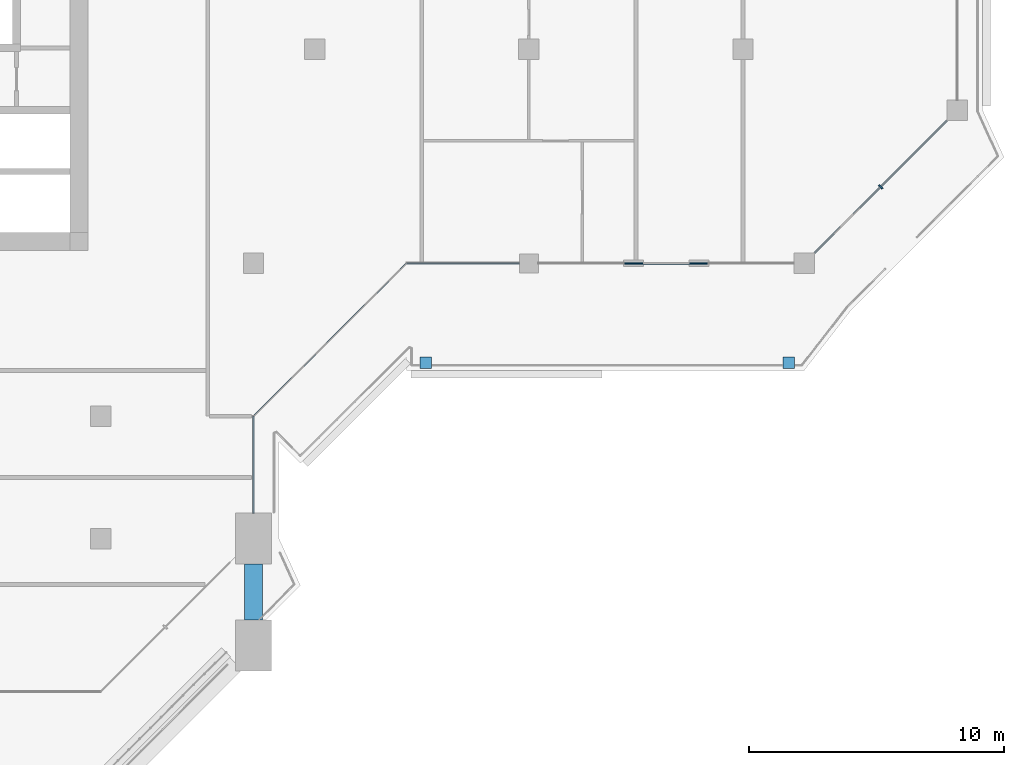
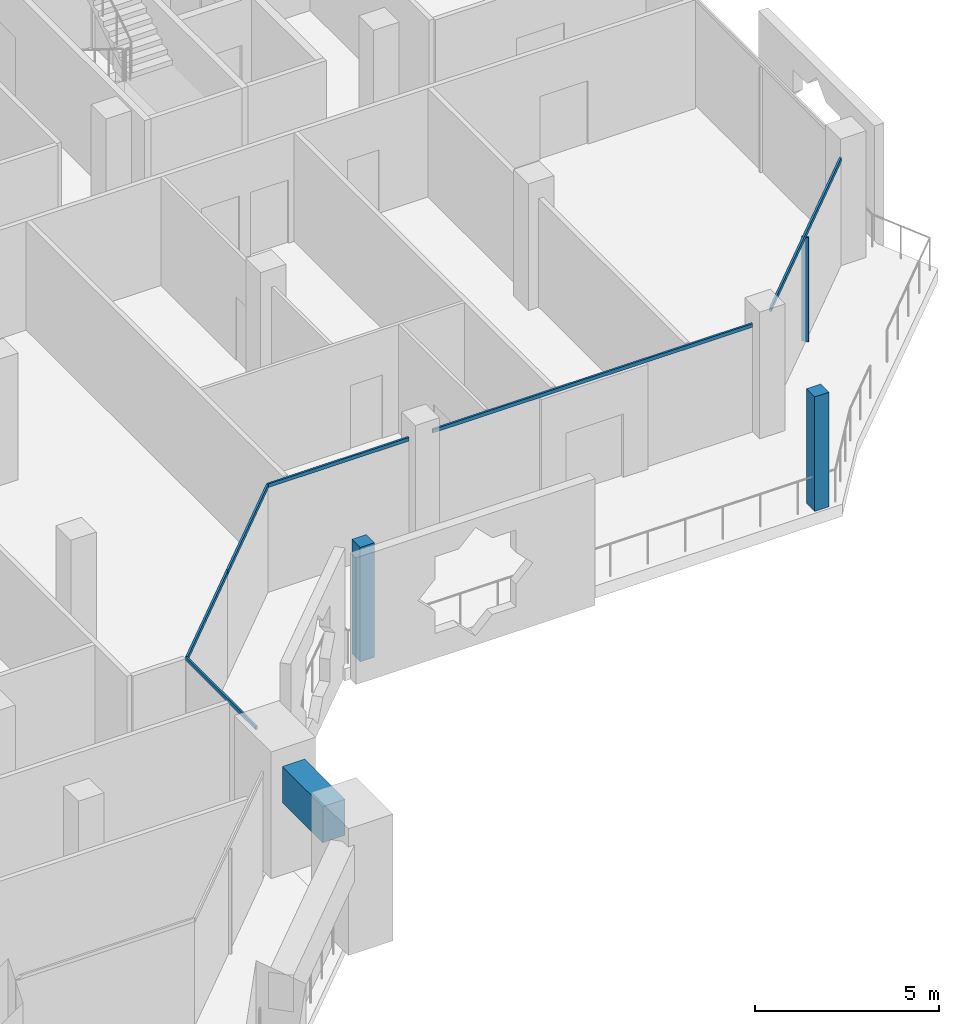
# One storey, part 4 of 20: 9 members, 1 beam, 5 elements without a shape of their own.
"""IFC4 building model written with IfcOpenShell, lengths in metres."""

from ifc_helpers import new_model, si_unit, direction, frame, origin, origin_2d, place, context, subcontext, project, spatial, rectangle, extrude, material, layer, layer_set, material_profile, profile_set, type_object, element, aggregate, save


model = new_model("IFC4")

# Units and contexts
model_context = context("Model", 3, precision=1e-05, world=origin(), true_north=direction((0.0, 1.0)))
body_context = subcontext(model_context, "Body", "Model", "MODEL_VIEW")
ifc_project = project(units=[si_unit("LENGTHUNIT", "METRE"), si_unit("AREAUNIT", "SQUARE_METRE"), si_unit("VOLUMEUNIT", "CUBIC_METRE"), si_unit("PLANEANGLEUNIT", "RADIAN"), si_unit("MASSUNIT", "GRAM", prefix="KILO")], contexts=[model_context])

# Site, building, storey
site_placement = place(None, origin())
site = spatial("IfcSite", under=ifc_project, at=site_placement, CompositionType="ELEMENT")
building_placement = place(site_placement, origin())
building = spatial("IfcBuilding", under=site, at=building_placement, Name="Kawkab Arch Medical Tower", CompositionType="ELEMENT")
storey_placement = place(building_placement, frame((0.0, 0.0, 290.199951171875)))
storey = spatial("IfcBuildingStorey", under=building, at=storey_placement, Name="L67", CompositionType="ELEMENT", Elevation=290.199951171875)

# Curtain wall, member
ifc_material_1 = material(Name="Bronze anodised aluminium curtain wall frame", Category="aluminium")
ifc_layer_1 = layer(ifc_material_1, 0.159912109375)
ifc_layer_set_1 = layer_set([ifc_layer_1], Name="Bronze anodised aluminium curtain wall frame")
curtain_wall_type_1 = type_object("IfcCurtainWallType", Name="CW1 ward curtain wall", PredefinedType="NOTDEFINED", material=ifc_layer_set_1)
placement = place(storey_placement, origin())
curtain_wall_1 = element("IfcCurtainWall", 1, at=placement, inside=storey, type_object=curtain_wall_type_1, Name="CW1 Ward curtain wall R09", PredefinedType="NOTDEFINED")
ifc_material_2 = material(Name="Bronze anodised aluminium curtain wall frame", Category="aluminium")
ifc_material_profile_1 = material_profile(ifc_material_2, rectangle(XDim=0.06005859375, YDim=0.1201171875, at=origin_2d()), Name="AL 60x120")
ifc_profile_set_1 = profile_set([ifc_material_profile_1], Name="Bronze anodised aluminium curtain wall frame")
member_type_1 = type_object("IfcMemberType", Name="CW1 transom 120 x 60", PredefinedType="USERDEFINED", material=ifc_profile_set_1)
member_1_placement = place(storey_placement, frame((31.199951171875, -35.0, 3.5400390625), z_axis=(0.0, 1.0, 0.0), x_axis=(-1.0, 0.0, 0.0)))
member_1 = element("IfcMember", 2, at=member_1_placement, type_object=member_type_1, Name="CW1 transom 1", ObjectType="TRANSOM", PredefinedType="USERDEFINED", context=body_context, shape_type="SweptSolid", body=[
    extrude(rectangle(XDim=0.06005859375, YDim=0.1201171875, at=origin_2d()), origin(), (0.0, 0.0, 1.0), 3.800048828125),
])
aggregate(curtain_wall_1, [member_1])

# Curtain wall, members
curtain_wall_2 = element("IfcCurtainWall", 3, at=placement, inside=storey, type_object=curtain_wall_type_1, Name="CW1 Ward curtain wall R11", PredefinedType="NOTDEFINED")
member_2_placement = place(storey_placement, frame((37.199951171875, -25.199951171875, 3.5400390625), z_axis=(1.0, 0.0, 0.0), x_axis=(0.0, 1.0, 0.0)))
member_2 = element("IfcMember", 4, at=member_2_placement, type_object=member_type_1, Name="CW1 transom 1", ObjectType="TRANSOM", PredefinedType="USERDEFINED", context=body_context, shape_type="SweptSolid", body=[
    extrude(rectangle(XDim=0.06005859375, YDim=0.1201171875, at=origin_2d()), origin(), (0.0, 0.0, 1.0), 4.425048828125),
])
member_3_placement = place(storey_placement, frame((42.375, -25.199951171875, 3.5400390625), z_axis=(1.0, 0.0, 0.0), x_axis=(0.0, 1.0, 0.0)))
member_3 = element("IfcMember", 5, at=member_3_placement, type_object=member_type_1, Name="CW1 transom 2", ObjectType="TRANSOM", PredefinedType="USERDEFINED", context=body_context, shape_type="SweptSolid", body=[
    extrude(rectangle(XDim=0.06005859375, YDim=0.1201171875, at=origin_2d()), origin(), (0.0, 0.0, 1.0), 10.02490234375),
])
aggregate(curtain_wall_2, [member_2, member_3])

# Curtain wall, member
ifc_material_3 = material(Name="Bronze anodised aluminium curtain wall frame", Category="aluminium")
ifc_layer_2 = layer(ifc_material_3, 0.159912109375)
ifc_layer_set_2 = layer_set([ifc_layer_2], Name="Bronze anodised aluminium curtain wall frame")
curtain_wall_type_2 = type_object("IfcCurtainWallType", Name="CW2 chamfer curtain wall", PredefinedType="NOTDEFINED", material=ifc_layer_set_2)
curtain_wall_3 = element("IfcCurtainWall", 6, at=placement, inside=storey, type_object=curtain_wall_type_2, Name="CW2 Chamfer curtain wall R12", PredefinedType="NOTDEFINED")
ifc_material_4 = material(Name="Bronze anodised aluminium curtain wall frame", Category="aluminium")
ifc_material_profile_2 = material_profile(ifc_material_4, rectangle(XDim=0.199951171875, YDim=0.06005859375, at=origin_2d()), Name="AL 60x200")
ifc_profile_set_2 = profile_set([ifc_material_profile_2], Name="Bronze anodised aluminium curtain wall frame")
member_type_2 = type_object("IfcMemberType", Name="CW2 mullion 60 x 200", PredefinedType="MULLION", material=ifc_profile_set_2)
member_4_placement = place(storey_placement, frame((55.800048828125, -22.199951171875, 0.0), z_axis=(0.0, 0.0, 1.0), x_axis=(-0.707106781187, 0.707106781187, 0.0)))
member_4 = element("IfcMember", 7, at=member_4_placement, type_object=member_type_2, Name="CW2 mullion 1.1", PredefinedType="MULLION", context=body_context, shape_type="SweptSolid", body=[
    extrude(rectangle(XDim=0.199951171875, YDim=0.06005859375, at=origin_2d()), origin(), (0.0, 0.0, 1.0), 3.4599609375),
])

# Curtain wall, members
curtain_wall_4 = element("IfcCurtainWall", 8, at=placement, inside=storey, type_object=curtain_wall_type_2, Name="CW2 Chamfer curtain wall R10", PredefinedType="NOTDEFINED")
ifc_material_5 = material(Name="Bronze anodised aluminium curtain wall frame", Category="aluminium")
ifc_material_profile_3 = material_profile(ifc_material_5, rectangle(XDim=0.06005859375, YDim=0.139892578125, at=origin_2d()), Name="AL 60x140")
ifc_profile_set_3 = profile_set([ifc_material_profile_3], Name="Bronze anodised aluminium curtain wall frame")
member_type_3 = type_object("IfcMemberType", Name="CW2 transom 140 x 60", PredefinedType="USERDEFINED", material=ifc_profile_set_3)
member_5_placement = place(storey_placement, frame((31.199951171875, -31.199951171875, 3.530029296875), z_axis=(0.707106781187, 0.707106781187, 0.0), x_axis=(-0.707106781187, 0.707106781187, 0.0)))
member_5 = element("IfcMember", 9, at=member_5_placement, type_object=member_type_3, Name="CW2 transom 1", ObjectType="TRANSOM", PredefinedType="USERDEFINED", context=body_context, shape_type="SweptSolid", body=[
    extrude(rectangle(XDim=0.06005859375, YDim=0.139892578125, at=origin_2d()), origin(), (0.0, 0.0, 1.0), 4.24267578125),
])
member_6_placement = place(storey_placement, frame((34.199951171875, -28.199951171875, 3.530029296875), z_axis=(0.707106781187, 0.707106781187, 0.0), x_axis=(-0.707106781187, 0.707106781187, 0.0)))
member_6 = element("IfcMember", 10, at=member_6_placement, type_object=member_type_3, Name="CW2 transom 2", ObjectType="TRANSOM", PredefinedType="USERDEFINED", context=body_context, shape_type="SweptSolid", body=[
    extrude(rectangle(XDim=0.06005859375, YDim=0.139892578125, at=origin_2d()), origin(), (0.0, 0.0, 1.0), 4.24267578125),
])
aggregate(curtain_wall_4, [member_5, member_6])

# Member
member_7_placement = place(storey_placement, frame((53.199951171875, -24.800048828125, 3.530029296875), z_axis=(0.707106781187, 0.707106781187, 0.0), x_axis=(-0.707106781187, 0.707106781187, 0.0)))
member_7 = element("IfcMember", 11, at=member_7_placement, type_object=member_type_3, Name="CW2 transom 1", ObjectType="TRANSOM", PredefinedType="USERDEFINED", context=body_context, shape_type="SweptSolid", body=[
    extrude(rectangle(XDim=0.06005859375, YDim=0.139892578125, at=origin_2d()), origin(), (0.0, 0.0, 1.0), 7.353759765625),
])

aggregate(curtain_wall_3, [member_7, member_4])

# Curtain wall, members
ifc_material_6 = material(Name="Bronze anodised aluminium climber frame, planted", Category="aluminium")
ifc_layer_3 = layer(ifc_material_6, 0.449951171875)
ifc_layer_set_3 = layer_set([ifc_layer_3], Name="Bronze anodised aluminium climber frame, planted")
curtain_wall_type_3 = type_object("IfcCurtainWallType", Name="Planted climber frame", PredefinedType="NOTDEFINED", material=ifc_layer_set_3)
curtain_wall_5 = element("IfcCurtainWall", 12, at=placement, inside=storey, type_object=curtain_wall_type_3, Name="Planted climber frame L67", PredefinedType="NOTDEFINED")
ifc_material_7 = material(Name="Bronze anodised aluminium climber frame, planted", Category="aluminium")
ifc_material_profile_4 = material_profile(ifc_material_7, rectangle(XDim=0.449951171875, YDim=0.449951171875, at=origin_2d()), Name="Post 450x450")
ifc_profile_set_4 = profile_set([ifc_material_profile_4], Name="Bronze anodised aluminium climber frame, planted")
member_type_4 = type_object("IfcMemberType", Name="Planted climber post 450 x 450", PredefinedType="MULLION", material=ifc_profile_set_4)
member_8_placement = place(storey_placement, frame((52.202880859375, -29.10009765625, 0.0), z_axis=(0.0, 0.0, 1.0), x_axis=(1.0, 0.0, 0.0)))
member_8 = element("IfcMember", 13, at=member_8_placement, type_object=member_type_4, Name="Planted climber post L67.LOG-01-01.5", PredefinedType="MULLION", context=body_context, shape_type="SweptSolid", body=[
    extrude(rectangle(XDim=0.449951171875, YDim=0.449951171875, at=origin_2d()), origin(), (0.0, 0.0, 1.0), 3.800048828125),
])
member_9_placement = place(storey_placement, frame((37.949951171875, -29.10009765625, 0.0), z_axis=(0.0, 0.0, 1.0), x_axis=(1.0, 0.0, 0.0)))
member_9 = element("IfcMember", 14, at=member_9_placement, type_object=member_type_4, Name="Planted climber post L67.LOG-01-01.6", PredefinedType="MULLION", context=body_context, shape_type="SweptSolid", body=[
    extrude(rectangle(XDim=0.449951171875, YDim=0.449951171875, at=origin_2d()), origin(), (0.0, 0.0, 1.0), 3.800048828125),
])
aggregate(curtain_wall_5, [member_8, member_9])

# Beam
ifc_material_8 = material(Name="Concrete C40/50", Category="concrete")
ifc_material_profile_5 = material_profile(ifc_material_8, rectangle(XDim=0.699951171875, YDim=1.199951171875, at=origin_2d()), Name="RC 700x1200")
ifc_profile_set_5 = profile_set([ifc_material_profile_5], Name="Concrete C40/50")
beam_type = type_object("IfcBeamType", Name="RC 700x1200 beam C40/50", PredefinedType="BEAM", material=ifc_profile_set_5)
beam_placement = place(storey_placement, frame((31.199951171875, -37.0, 3.0), z_axis=(0.0, -1.0, 0.0), x_axis=(1.0, 0.0, 0.0)))
element("IfcBeam", 15, at=beam_placement, inside=storey, type_object=beam_type, Name="Terrace frame beam TF-L67-1-L68-01", PredefinedType="BEAM", context=body_context, shape_type="SweptSolid", body=[
    extrude(rectangle(XDim=0.699951171875, YDim=1.199951171875, at=origin_2d()), origin(), (0.0, 0.0, 1.0), 2.199951171875),
])

save(model, "model.ifc")
